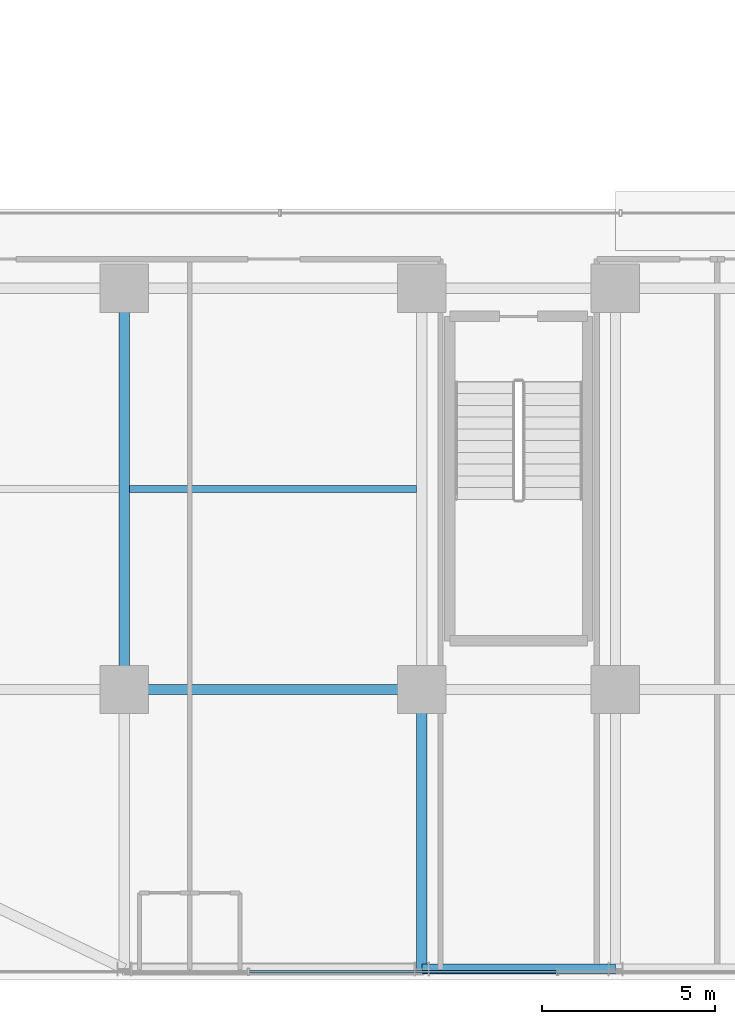
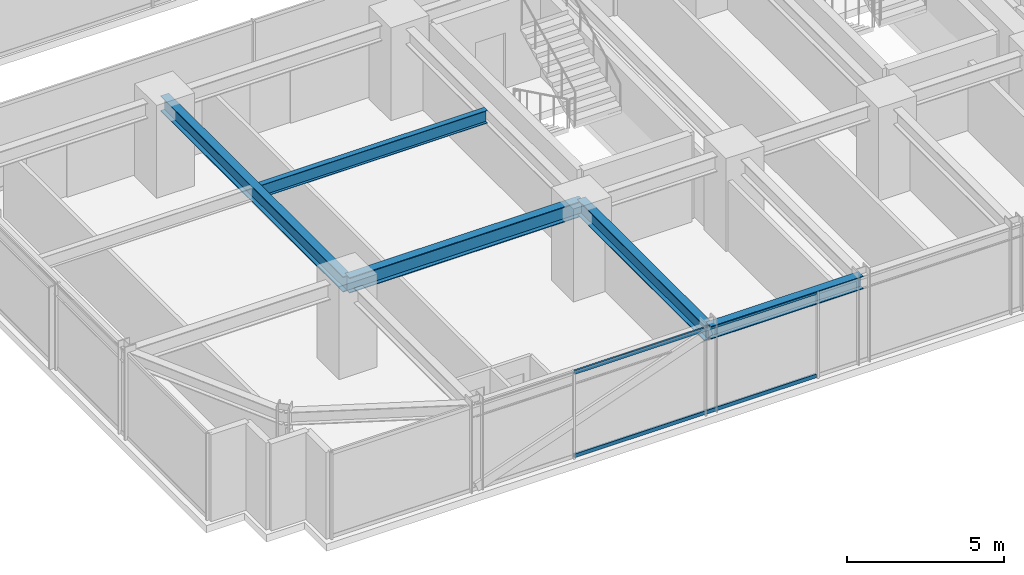
# One storey, part 6 of 42: 5 beams, 2 members, 1 element without a shape of its own.
"""IFC4 building model written with IfcOpenShell, lengths in metres."""

from ifc_helpers import new_model, si_unit, direction, frame, origin, origin_2d, place, context, subcontext, project, spatial, hollow_rectangle, i_section, extrude, source, transform, mapped, material, material_profile, profile_set, type_object, element, aggregate, save


model = new_model("IFC4")

# Units and contexts
model_context = context("Model", 3, precision=1e-05, world=origin(), true_north=direction((0.0, 1.0)))
body_context = subcontext(model_context, "Body", "Model", "MODEL_VIEW")
ifc_project = project(units=[si_unit("LENGTHUNIT", "METRE"), si_unit("AREAUNIT", "SQUARE_METRE"), si_unit("VOLUMEUNIT", "CUBIC_METRE"), si_unit("PLANEANGLEUNIT", "RADIAN"), si_unit("MASSUNIT", "GRAM", prefix="KILO")], contexts=[model_context])

# Site, building, storey
site_placement = place(None, origin())
site = spatial("IfcSite", under=ifc_project, at=site_placement, CompositionType="ELEMENT")
building_placement = place(site_placement, origin())
building = spatial("IfcBuilding", under=site, at=building_placement, Name="Nahalor Promenade Grand Hotel", CompositionType="ELEMENT")
storey_placement = place(building_placement, frame((0.0, 0.0, 61.60009765625)))
storey = spatial("IfcBuildingStorey", under=building, at=storey_placement, Name="L14", CompositionType="ELEMENT", Elevation=61.60009765625)

# Beams
ifc_material_1 = material(Name="Steel S355JR", Category="steel")
ifc_material_profile_1 = material_profile(ifc_material_1, i_section(OverallWidth=0.3, OverallDepth=0.6, WebThickness=0.0155, FlangeThickness=0.03, at=origin_2d()), Name="HEB 600")
ifc_profile_set_1 = profile_set([ifc_material_profile_1], Name="Steel S355JR")
beam_type_1 = type_object("IfcBeamType", Name="Beam-Girder-HEB600", PredefinedType="BEAM", material=ifc_profile_set_1)
shared_shape_1 = source(origin(), body_context, "Body", "SweptSolid", [
    extrude(i_section(OverallWidth=0.3, OverallDepth=0.6, WebThickness=0.0155, FlangeThickness=0.03, at=origin_2d()), origin(), (0.0, 0.0, 1.0), 8.60009765625),
])
beam_1_placement = place(storey_placement, frame((-17.0, -17.0, 3.06982421875), z_axis=(1.0, 0.0, 0.0), x_axis=(0.0, 1.0, 0.0)))
element("IfcBeam", 1, at=beam_1_placement, inside=storey, type_object=beam_type_1, Name="BM-L14-GX-0-1", PredefinedType="BEAM", context=body_context, shape_type="MappedRepresentation", body=[
    mapped(shared_shape_1, transform((0.0, 0.0, 0.0), scale=1.0)),
])
shared_shape_2 = source(origin(), body_context, "Body", "SweptSolid", [
    extrude(i_section(OverallWidth=0.3, OverallDepth=0.6, WebThickness=0.0155, FlangeThickness=0.03, at=origin_2d()), origin(), (0.0, 0.0, 1.0), 11.60009765625),
])
beam_2_placement = place(storey_placement, frame((-17.0, -17.0, 3.06982421875), z_axis=(0.0, 1.0, 0.0), x_axis=(-1.0, 0.0, 0.0)))
element("IfcBeam", 2, at=beam_2_placement, inside=storey, type_object=beam_type_1, Name="BM-L14-GY-0-1", PredefinedType="BEAM", context=body_context, shape_type="MappedRepresentation", body=[
    mapped(shared_shape_2, transform((0.0, 0.0, 0.0), scale=1.0)),
])
ifc_material_profile_2 = material_profile(ifc_material_1, i_section(OverallWidth=0.3, OverallDepth=0.5, WebThickness=0.0145, FlangeThickness=0.028, at=origin_2d()), Name="HEB 500")
ifc_profile_set_2 = profile_set([ifc_material_profile_2], Name="Steel S355JR")
beam_type_2 = type_object("IfcBeamType", Name="Beam-Spandrel-HEB500", PredefinedType="SPANDREL", material=ifc_profile_set_2)
shared_shape_3 = source(origin(), body_context, "Body", "SweptSolid", [
    extrude(i_section(OverallWidth=0.3, OverallDepth=0.5, WebThickness=0.0145, FlangeThickness=0.028, at=origin_2d()), origin(), (0.0, 0.0, 1.0), 5.599853515625),
])
beam_3_placement = place(storey_placement, frame((-8.39990234375, -25.080078125, 3.119873046875), z_axis=(1.0, 0.0, 0.0), x_axis=(0.0, 1.0, 0.0)))
element("IfcBeam", 3, at=beam_3_placement, inside=storey, type_object=beam_type_2, Name="BM-L14-SP-S-1", PredefinedType="SPANDREL", context=body_context, shape_type="MappedRepresentation", body=[
    mapped(shared_shape_3, transform((0.0, 0.0, 0.0), scale=1.0)),
])
ifc_material_profile_3 = material_profile(ifc_material_1, i_section(OverallWidth=0.2, OverallDepth=0.5, WebThickness=0.0102, FlangeThickness=0.016, at=origin_2d()), Name="IPE 500")
ifc_profile_set_3 = profile_set([ifc_material_profile_3], Name="Steel S355JR")
beam_type_3 = type_object("IfcBeamType", Name="Beam-Joist-IPE500", PredefinedType="JOIST", material=ifc_profile_set_3)
shared_shape_4 = source(origin(), body_context, "Body", "SweptSolid", [
    extrude(i_section(OverallWidth=0.2, OverallDepth=0.5, WebThickness=0.0102, FlangeThickness=0.016, at=origin_2d()), origin(), (0.0, 0.0, 1.0), 8.300048828125),
])
beam_4_placement = place(storey_placement, frame((-16.85009765625, -11.199951171875, 3.119873046875), z_axis=(1.0, 0.0, 0.0), x_axis=(0.0, 1.0, 0.0)))
element("IfcBeam", 4, at=beam_4_placement, inside=storey, type_object=beam_type_3, Name="BM-L14-JSW-0-1", PredefinedType="JOIST", context=body_context, shape_type="MappedRepresentation", body=[
    mapped(shared_shape_4, transform((0.0, 0.0, 0.0), scale=1.0)),
])
shared_shape_5 = source(origin(), body_context, "Body", "SweptSolid", [
    extrude(i_section(OverallWidth=0.3, OverallDepth=0.6, WebThickness=0.0155, FlangeThickness=0.03, at=origin_2d()), origin(), (0.0, 0.0, 1.0), 8.080078125),
])
beam_5_placement = place(storey_placement, frame((-8.39990234375, -25.080078125, 3.06982421875), z_axis=(0.0, 1.0, 0.0), x_axis=(-1.0, 0.0, 0.0)))
element("IfcBeam", 5, at=beam_5_placement, inside=storey, type_object=beam_type_1, Name="BM-L14-GY-1-0", PredefinedType="BEAM", context=body_context, shape_type="MappedRepresentation", body=[
    mapped(shared_shape_5, transform((0.0, 0.0, 0.0), scale=1.0)),
])

# Curtain wall, members
ifc_material_2 = material(Name="Anodised Bronze Aluminium EN AW-6063 T6", Category="aluminium")
curtain_wall_type = type_object("IfcCurtainWallType", Name="CW3 Elliptical-Void Collar Unitised Curtain Wall", PredefinedType="USERDEFINED", material=ifc_material_2)
curtain_wall_placement = place(storey_placement, origin())
curtain_wall = element("IfcCurtainWall", 6, at=curtain_wall_placement, inside=storey, type_object=curtain_wall_type, Name="L14 Curtain Wall CW-L14-S-1", ObjectType="UNITISED_CURTAIN_WALL", PredefinedType="USERDEFINED")
ifc_material_profile_4 = material_profile(ifc_material_2, hollow_rectangle(XDim=0.07, YDim=0.14, WallThickness=0.004, at=origin_2d()), Name="CWT 70x140x4")
ifc_profile_set_4 = profile_set([ifc_material_profile_4], Name="Anodised Bronze Aluminium EN AW-6063 T6")
member_type = type_object("IfcMemberType", Name="CWT3 Void Collar Transom 70x140", PredefinedType="USERDEFINED", material=ifc_profile_set_4)
shared_shape_6 = source(origin(), body_context, "Body", "SweptSolid", [
    extrude(hollow_rectangle(XDim=0.07, YDim=0.14, WallThickness=0.004, at=origin_2d()), origin(), (0.0, 0.0, 1.0), 8.8740234375),
])
member_1_placement = place(storey_placement, frame((-13.381103515625, -25.159912109375, 0.06982421875), z_axis=(1.0, 0.0, 0.0), x_axis=(0.0, 1.0, 0.0)))
member_1 = element("IfcMember", 7, at=member_1_placement, type_object=member_type, Name="CW-L14-S-1 Transom 1-0", ObjectType="TRANSOM", PredefinedType="USERDEFINED", context=body_context, shape_type="MappedRepresentation", body=[
    mapped(shared_shape_6, transform((0.0, 0.0, 0.0), scale=1.0)),
])
member_2_placement = place(storey_placement, frame((-13.381103515625, -25.159912109375, 3.2998046875), z_axis=(1.0, 0.0, 0.0), x_axis=(0.0, 1.0, 0.0)))
member_2 = element("IfcMember", 8, at=member_2_placement, type_object=member_type, Name="CW-L14-S-1 Transom 1-1", ObjectType="TRANSOM", PredefinedType="USERDEFINED", context=body_context, shape_type="MappedRepresentation", body=[
    mapped(shared_shape_6, transform((0.0, 0.0, 0.0), scale=1.0)),
])
aggregate(curtain_wall, [member_1, member_2])

save(model, "model.ifc")
